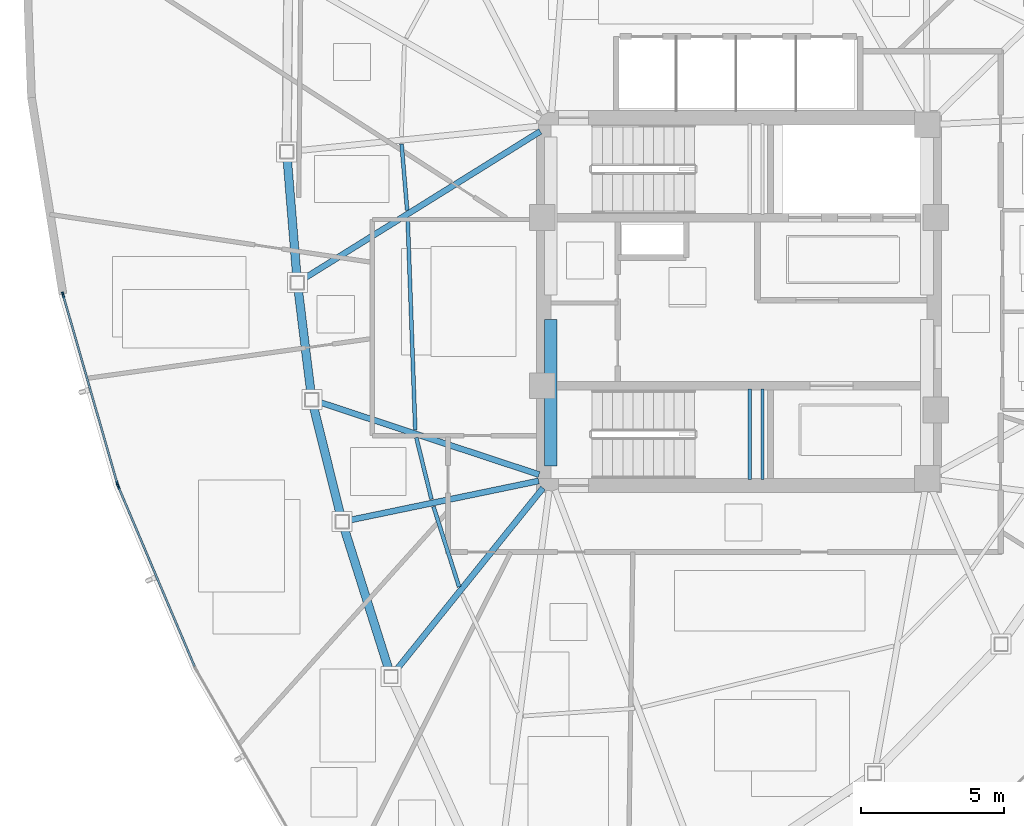
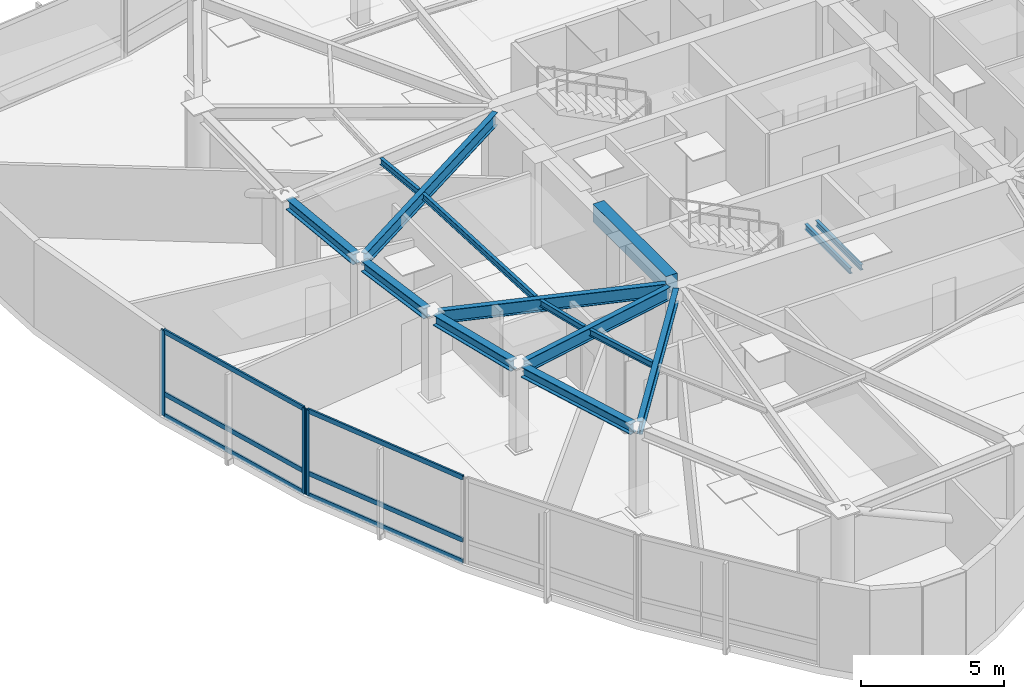
# One storey, part 3 of 14: 15 beams, 9 members, 2 elements without a shape of their own.
"""IFC4 building model written with IfcOpenShell, lengths in metres."""

from ifc_helpers import new_model, si_unit, direction, frame, origin, origin_2d, place, context, subcontext, project, spatial, rectangle, hollow_rectangle, i_section, extrude, source, transform, mapped, material, layer, layer_set, material_profile, profile_set, type_object, type_shapes, element, aggregate, save


model = new_model("IFC4")

# Units and contexts
model_context = context("Model", 3, precision=1e-05, world=origin(), true_north=direction((0.0, 1.0)))
body_context = subcontext(model_context, "Body", "Model", "MODEL_VIEW")
ifc_project = project(units=[si_unit("LENGTHUNIT", "METRE"), si_unit("AREAUNIT", "SQUARE_METRE"), si_unit("VOLUMEUNIT", "CUBIC_METRE"), si_unit("PLANEANGLEUNIT", "RADIAN"), si_unit("MASSUNIT", "GRAM", prefix="KILO")], contexts=[model_context])

# Site, building, storey
site_placement = place(None, origin())
site = spatial("IfcSite", under=ifc_project, at=site_placement, CompositionType="ELEMENT")
building_placement = place(site_placement, origin())
building = spatial("IfcBuilding", under=site, at=building_placement, Name="Tavelor Broadcast Tower", CompositionType="ELEMENT")
storey_placement = place(building_placement, frame((0.0, 0.0, 249.800048828125)))
storey = spatial("IfcBuildingStorey", under=building, at=storey_placement, Name="L59", CompositionType="ELEMENT", Elevation=249.800048828125)

# Beams
ifc_material_1 = material(Name="Concrete C40/50", Category="concrete")
ifc_material_profile_1 = material_profile(ifc_material_1, rectangle(XDim=0.449951171875, YDim=0.75, at=origin_2d()), Name="RC 450x750")
ifc_profile_set_1 = profile_set([ifc_material_profile_1], Name="Concrete C40/50")
beam_type_1 = type_object("IfcBeamType", Name="Basement Core Trim Beam 450x750", PredefinedType="BEAM", material=ifc_profile_set_1)
beam_1_placement = place(storey_placement, frame((43.39990234375, 39.23193359375, 3.27490234375), z_axis=(0.0, 1.0, 0.0), x_axis=(-1.0, 0.0, 0.0)))
element("IfcBeam", 1, at=beam_1_placement, inside=storey, type_object=beam_type_1, Name="L59 Core West-S Tie Girder", PredefinedType="BEAM", context=body_context, shape_type="SweptSolid", body=[
    extrude(rectangle(XDim=0.449951171875, YDim=0.75, at=origin_2d()), origin(), (0.0, 0.0, 1.0), 5.135986328125),
])
ifc_material_2 = material(Name="Steel S355", Category="steel")
ifc_material_profile_2 = material_profile(ifc_material_2, i_section(OverallWidth=0.135009765625, OverallDepth=0.27001953125, WebThickness=0.006591796875, FlangeThickness=0.01025390625, at=origin_2d()), Name="IPE 270")
ifc_profile_set_2 = profile_set([ifc_material_profile_2], Name="Steel S355")
beam_type_2 = type_object("IfcBeamType", Name="Composite Floor Joist T6 IPE 270", PredefinedType="JOIST", material=ifc_profile_set_2)
beam_2_placement = place(storey_placement, frame((38.168701171875, 50.531982421875, 3.514892578125), z_axis=(0.084031501076, -0.996463098578, 0.0), x_axis=(0.996463098578, 0.084031501076, 0.0)))
element("IfcBeam", 2, at=beam_2_placement, inside=storey, type_object=beam_type_2, Name="L59 Secondary Composite Floor Joist 02", PredefinedType="JOIST", context=body_context, shape_type="SweptSolid", body=[
    extrude(i_section(OverallWidth=0.135009765625, OverallDepth=0.27001953125, WebThickness=0.006591796875, FlangeThickness=0.01025390625, at=origin_2d()), origin(), (0.0, 0.0, 1.0), 2.3359375),
])
beam_3_placement = place(storey_placement, frame((38.381103515625, 47.9365234375, 3.514892578125), z_axis=(0.035987571959, -0.999352237534, 0.0), x_axis=(0.999352237534, 0.035987571959, 0.0)))
element("IfcBeam", 3, at=beam_3_placement, inside=storey, type_object=beam_type_2, Name="L59 Secondary Composite Floor Joist 03", PredefinedType="JOIST", context=body_context, shape_type="SweptSolid", body=[
    extrude(i_section(OverallWidth=0.135009765625, OverallDepth=0.27001953125, WebThickness=0.006591796875, FlangeThickness=0.01025390625, at=origin_2d()), origin(), (0.0, 0.0, 1.0), 7.442138671875),
])
beam_4_placement = place(storey_placement, frame((38.685546875, 40.23486328125, 3.514892578125), z_axis=(0.238024718386, -0.971259096965, 0.0), x_axis=(0.971259096965, 0.238024718386, 0.0)))
element("IfcBeam", 4, at=beam_4_placement, inside=storey, type_object=beam_type_2, Name="L59 Secondary Composite Floor Joist 04", PredefinedType="JOIST", context=body_context, shape_type="SweptSolid", body=[
    extrude(i_section(OverallWidth=0.135009765625, OverallDepth=0.27001953125, WebThickness=0.006591796875, FlangeThickness=0.01025390625, at=origin_2d()), origin(), (0.0, 0.0, 1.0), 2.22998046875),
])
beam_5_placement = place(storey_placement, frame((39.2890625, 37.810791015625, 3.514892578125), z_axis=(0.303612721519, -0.952795526507, 0.0), x_axis=(0.952795526507, 0.303612721519, 0.0)))
element("IfcBeam", 5, at=beam_5_placement, inside=storey, type_object=beam_type_2, Name="L59 Secondary Composite Floor Joist 05", PredefinedType="JOIST", context=body_context, shape_type="SweptSolid", body=[
    extrude(i_section(OverallWidth=0.135009765625, OverallDepth=0.27001953125, WebThickness=0.006591796875, FlangeThickness=0.01025390625, at=origin_2d()), origin(), (0.0, 0.0, 1.0), 2.9560546875),
])
ifc_material_profile_3 = material_profile(ifc_material_2, i_section(OverallWidth=0.300048828125, OverallDepth=0.449951171875, WebThickness=0.013916015625, FlangeThickness=0.02587890625, at=origin_2d()), Name="HEB 450")
ifc_profile_set_3 = profile_set([ifc_material_profile_3], Name="Steel S355")
beam_type_3 = type_object("IfcBeamType", Name="Perimeter Spandrel Beam T6 HEB 450", PredefinedType="SPANDREL", material=ifc_profile_set_3)
beam_6_placement = place(storey_placement, frame((34.15673828125, 50.0166015625, 3.425048828125), z_axis=(0.081762604382, -0.996651833152, 0.0), x_axis=(0.996651833152, 0.081762604382, 0.0)))
element("IfcBeam", 6, at=beam_6_placement, inside=storey, type_object=beam_type_3, Name="L59 Framed-Tube Ring Spandrel 02", PredefinedType="SPANDREL", context=body_context, shape_type="SweptSolid", body=[
    extrude(i_section(OverallWidth=0.300048828125, OverallDepth=0.449951171875, WebThickness=0.013916015625, FlangeThickness=0.02587890625, at=origin_2d()), origin(), (0.0, 0.0, 1.0), 4.126708984375),
])
beam_7_placement = place(storey_placement, frame((34.54296875, 45.42626953125, 3.425048828125), z_axis=(0.122281853392, -0.992495414766, 0.0), x_axis=(0.992495414766, 0.122281853392, 0.0)))
element("IfcBeam", 7, at=beam_7_placement, inside=storey, type_object=beam_type_3, Name="L59 Framed-Tube Ring Spandrel 03", PredefinedType="SPANDREL", context=body_context, shape_type="SweptSolid", body=[
    extrude(i_section(OverallWidth=0.300048828125, OverallDepth=0.449951171875, WebThickness=0.013916015625, FlangeThickness=0.02587890625, at=origin_2d()), origin(), (0.0, 0.0, 1.0), 3.651611328125),
])
beam_8_placement = place(storey_placement, frame((35.076904296875, 41.3310546875, 3.425048828125), z_axis=(0.241279026366, -0.97045578541, 0.0), x_axis=(0.97045578541, 0.241279026366, 0.0)))
element("IfcBeam", 8, at=beam_8_placement, inside=storey, type_object=beam_type_3, Name="L59 Framed-Tube Ring Spandrel 04", PredefinedType="SPANDREL", context=body_context, shape_type="SweptSolid", body=[
    extrude(i_section(OverallWidth=0.300048828125, OverallDepth=0.449951171875, WebThickness=0.013916015625, FlangeThickness=0.02587890625, at=origin_2d()), origin(), (0.0, 0.0, 1.0), 3.93212890625),
])
beam_9_placement = place(storey_placement, frame((36.15576171875, 37.053466796875, 3.425048828125), z_axis=(0.300999122242, -0.953624416849, 0.0), x_axis=(0.953624416849, 0.300999122242, 0.0)))
element("IfcBeam", 9, at=beam_9_placement, inside=storey, type_object=beam_type_3, Name="L59 Framed-Tube Ring Spandrel 05", PredefinedType="SPANDREL", context=body_context, shape_type="SweptSolid", body=[
    extrude(i_section(OverallWidth=0.300048828125, OverallDepth=0.449951171875, WebThickness=0.013916015625, FlangeThickness=0.02587890625, at=origin_2d()), origin(), (0.0, 0.0, 1.0), 5.212890625),
])
ifc_material_profile_4 = material_profile(ifc_material_2, i_section(OverallWidth=0.2099609375, OverallDepth=0.550048828125, WebThickness=0.010986328125, FlangeThickness=0.01708984375, at=origin_2d()), Name="IPE 550")
ifc_profile_set_4 = profile_set([ifc_material_profile_4], Name="Steel S355")
beam_type_4 = type_object("IfcBeamType", Name="Radial Floor Girder T6 IPE 550", PredefinedType="BEAM", material=ifc_profile_set_4)
beam_10_placement = place(storey_placement, frame((43.033203125, 50.9716796875, 3.375), z_axis=(-0.848789723342, -0.528730560445, 0.0), x_axis=(0.528730560445, -0.848789723342, 0.0)))
element("IfcBeam", 10, at=beam_10_placement, inside=storey, type_object=beam_type_4, Name="L59 Radial Primary Floor Girder 03", PredefinedType="BEAM", context=body_context, shape_type="SweptSolid", body=[
    extrude(i_section(OverallWidth=0.2099609375, OverallDepth=0.550048828125, WebThickness=0.010986328125, FlangeThickness=0.01708984375, at=origin_2d()), origin(), (0.0, 0.0, 1.0), 9.79736328125),
])
beam_11_placement = place(storey_placement, frame((42.98974609375, 38.935302734375, 3.375), z_axis=(-0.949690563793, 0.313189771613, 0.0), x_axis=(-0.313189771613, -0.949690563793, 0.0)))
element("IfcBeam", 11, at=beam_11_placement, inside=storey, type_object=beam_type_4, Name="L59 Radial Primary Floor Girder 04", PredefinedType="BEAM", context=body_context, shape_type="SweptSolid", body=[
    extrude(i_section(OverallWidth=0.2099609375, OverallDepth=0.550048828125, WebThickness=0.010986328125, FlangeThickness=0.01708984375, at=origin_2d()), origin(), (0.0, 0.0, 1.0), 8.153076171875),
])
beam_12_placement = place(storey_placement, frame((42.97705078125, 38.71240234375, 3.375), z_axis=(-0.979151221162, -0.203132681016, 0.0), x_axis=(0.203132681016, -0.979151221162, 0.0)))
element("IfcBeam", 12, at=beam_12_placement, inside=storey, type_object=beam_type_4, Name="L59 Radial Primary Floor Girder 05", PredefinedType="BEAM", context=body_context, shape_type="SweptSolid", body=[
    extrude(i_section(OverallWidth=0.2099609375, OverallDepth=0.550048828125, WebThickness=0.010986328125, FlangeThickness=0.01708984375, at=origin_2d()), origin(), (0.0, 0.0, 1.0), 6.80029296875),
])
beam_13_placement = place(storey_placement, frame((43.12890625, 38.463623046875, 3.375), z_axis=(-0.627814320215, -0.778363141042, 0.0), x_axis=(0.778363141042, -0.627814320215, 0.0)))
element("IfcBeam", 13, at=beam_13_placement, inside=storey, type_object=beam_type_4, Name="L59 Radial Primary Floor Girder 06", PredefinedType="BEAM", context=body_context, shape_type="SweptSolid", body=[
    extrude(i_section(OverallWidth=0.2099609375, OverallDepth=0.550048828125, WebThickness=0.010986328125, FlangeThickness=0.01708984375, at=origin_2d()), origin(), (0.0, 0.0, 1.0), 8.252685546875),
])
ifc_material_profile_5 = material_profile(ifc_material_2, i_section(OverallWidth=0.1201171875, OverallDepth=0.239990234375, WebThickness=0.006103515625, FlangeThickness=0.009765625, at=origin_2d()), Name="IPE 240")
ifc_profile_set_5 = profile_set([ifc_material_profile_5], Name="Steel S355")
beam_type_5 = type_object("IfcBeamType", Name="Stairwell Landing Support Trimmer Beam IPE240", PredefinedType="BEAM", material=ifc_profile_set_5)
for number, where, z_axis, x_axis, name in (
    (14, (50.385009765625, 38.760009765625, 1.659912109375), (0.0, 1.0, 0.0), (-1.0, 0.0, 0.0), "L59 Stair Landing Support Beam 373"),
    (15, (50.824951171875, 38.760009765625, 1.659912109375), (0.0, 1.0, 0.0), (-1.0, 0.0, 0.0), "L59 Stair Landing Support Beam 374"),
):
    element("IfcBeam", number, at=place(storey_placement, frame(where, z_axis=z_axis, x_axis=x_axis)), inside=storey, type_object=beam_type_5, Name=name, PredefinedType="BEAM", context=body_context, shape_type="SweptSolid", body=[
        extrude(i_section(OverallWidth=0.1201171875, OverallDepth=0.239990234375, WebThickness=0.006103515625, FlangeThickness=0.009765625, at=origin_2d()), origin(), (0.0, 0.0, 1.0), 3.179931640625),
    ])

# Curtain wall, members
ifc_material_3 = material(Name="Architectural Anodized Aluminium", Category="aluminium")
ifc_layer = layer(ifc_material_3, 0.199951171875)
ifc_layer_set = layer_set([ifc_layer], Name="Architectural Anodized Aluminium")
curtain_wall_type = type_object("IfcCurtainWallType", Name="Tower High-Zone Triple-Glazed Curtain Wall CW04", PredefinedType="NOTDEFINED", material=ifc_layer_set)
curtain_wall_1_placement = place(storey_placement, origin())
curtain_wall_1 = element("IfcCurtainWall", 16, at=curtain_wall_1_placement, inside=storey, type_object=curtain_wall_type, Name="L59 Curtain Wall CW04 Run 637", PredefinedType="NOTDEFINED")
ifc_material_profile_6 = material_profile(ifc_material_3, hollow_rectangle(XDim=0.070068359375, YDim=0.199951171875, WallThickness=0.02197265625, at=origin_2d()), Name="RHS 70x200x22")
ifc_profile_set_6 = profile_set([ifc_material_profile_6], Name="Architectural Anodized Aluminium")
member_type_1 = type_object("IfcMemberType", Name="CW04 Extruded Aluminium Mullion 70x200", PredefinedType="MULLION", material=ifc_profile_set_6)
shared_shape_1 = source(origin(), body_context, "Body", "SweptSolid", [
    extrude(hollow_rectangle(XDim=0.070068359375, YDim=0.199951171875, WallThickness=0.02197265625, at=origin_2d()), origin(), (0.0, 0.0, 1.0), 3.64990234375),
])
type_shapes(member_type_1, [shared_shape_1])
member_1_placement = place(storey_placement, frame((26.296630859375, 45.238525390625, 0.0), z_axis=(0.0, 0.0, 1.0), x_axis=(0.961140152962, 0.276060874381, 0.0)))
member_1 = element("IfcMember", 17, at=member_1_placement, type_object=member_type_1, Name="CW04 mullion 1", PredefinedType="MULLION", context=body_context, shape_type="MappedRepresentation", body=[
    mapped(shared_shape_1, transform((0.0, 0.0, 0.0), scale=1.0)),
])
member_2_placement = place(storey_placement, frame((28.200927734375, 38.608154296875, 0.0), z_axis=(0.0, 0.0, 1.0), x_axis=(0.961140152962, 0.276060874381, 0.0)))
member_2 = element("IfcMember", 18, at=member_2_placement, type_object=member_type_1, Name="CW04 mullion 2", PredefinedType="MULLION", context=body_context, shape_type="MappedRepresentation", body=[
    mapped(shared_shape_1, transform((0.0, 0.0, 0.0), scale=1.0)),
])

# Curtain wall, member
curtain_wall_2_placement = place(storey_placement, origin())
curtain_wall_2 = element("IfcCurtainWall", 19, at=curtain_wall_2_placement, inside=storey, type_object=curtain_wall_type, Name="L59 Curtain Wall CW04 Run 638", PredefinedType="NOTDEFINED")
member_3_placement = place(storey_placement, frame((28.234375, 38.51416015625, 0.0), z_axis=(0.0, 0.0, 1.0), x_axis=(0.920676396065, 0.390326752514, 0.0)))
member_3 = element("IfcMember", 20, at=member_3_placement, type_object=member_type_1, Name="CW04 mullion 1", PredefinedType="MULLION", context=body_context, shape_type="MappedRepresentation", body=[
    mapped(shared_shape_1, transform((0.0, 0.0, 0.0), scale=1.0)),
])

# Member
ifc_material_profile_7 = material_profile(ifc_material_3, hollow_rectangle(XDim=0.070068359375, YDim=0.199951171875, WallThickness=0.02197265625, at=origin_2d()), Name="RHS 70x200x22")
ifc_profile_set_7 = profile_set([ifc_material_profile_7], Name="Architectural Anodized Aluminium")
member_type_2 = type_object("IfcMemberType", Name="CW04 Extruded Aluminium Transom 70x200", PredefinedType="USERDEFINED", material=ifc_profile_set_7)
shared_shape_2 = source(origin(), body_context, "Body", "SweptSolid", [
    extrude(hollow_rectangle(XDim=0.070068359375, YDim=0.199951171875, WallThickness=0.02197265625, at=origin_2d()), origin(), (0.0, 0.0, 1.0), 6.828369140625),
])
member_4_placement = place(storey_placement, frame((26.30615234375, 45.204833984375, 0.034912109375), z_axis=(0.276057255637, -0.961141192339, 0.0), x_axis=(0.961141192339, 0.276057255637, 0.0)))
member_4 = element("IfcMember", 21, at=member_4_placement, type_object=member_type_2, Name="CW04 transom 1.1", ObjectType="TRANSOM", PredefinedType="USERDEFINED", context=body_context, shape_type="MappedRepresentation", body=[
    mapped(shared_shape_2, transform((0.0, 0.0, 0.0), scale=1.0)),
])

member_5_placement = place(storey_placement, frame((26.30615234375, 45.204833984375, 0.949951171875), z_axis=(0.276057255637, -0.961141192339, 0.0), x_axis=(0.961141192339, 0.276057255637, 0.0)))
member_5 = element("IfcMember", 22, at=member_5_placement, type_object=member_type_2, Name="CW04 transom 1.2", ObjectType="TRANSOM", PredefinedType="USERDEFINED", context=body_context, shape_type="MappedRepresentation", body=[
    mapped(shared_shape_2, transform((0.0, 0.0, 0.0), scale=1.0)),
])

member_6_placement = place(storey_placement, frame((26.30615234375, 45.204833984375, 3.614990234375), z_axis=(0.276057255637, -0.961141192339, 0.0), x_axis=(0.961141192339, 0.276057255637, 0.0)))
member_6 = element("IfcMember", 23, at=member_6_placement, type_object=member_type_2, Name="CW04 transom 1.3", ObjectType="TRANSOM", PredefinedType="USERDEFINED", context=body_context, shape_type="MappedRepresentation", body=[
    mapped(shared_shape_2, transform((0.0, 0.0, 0.0), scale=1.0)),
])

aggregate(curtain_wall_1, [member_1, member_2, member_4, member_5, member_6])

shared_shape_3 = source(origin(), body_context, "Body", "SweptSolid", [
    extrude(hollow_rectangle(XDim=0.070068359375, YDim=0.199951171875, WallThickness=0.02197265625, at=origin_2d()), origin(), (0.0, 0.0, 1.0), 6.813232421875),
])
type_shapes(member_type_2, [shared_shape_2, shared_shape_3])
member_7_placement = place(storey_placement, frame((28.247802734375, 38.48193359375, 0.034912109375), z_axis=(0.390335420262, -0.920672721269, 0.0), x_axis=(0.920672721269, 0.390335420262, 0.0)))
member_7 = element("IfcMember", 24, at=member_7_placement, type_object=member_type_2, Name="CW04 transom 1.1", ObjectType="TRANSOM", PredefinedType="USERDEFINED", context=body_context, shape_type="MappedRepresentation", body=[
    mapped(shared_shape_3, transform((0.0, 0.0, 0.0), scale=1.0)),
])

member_8_placement = place(storey_placement, frame((28.247802734375, 38.48193359375, 0.949951171875), z_axis=(0.390335420262, -0.920672721269, 0.0), x_axis=(0.920672721269, 0.390335420262, 0.0)))
member_8 = element("IfcMember", 25, at=member_8_placement, type_object=member_type_2, Name="CW04 transom 1.2", ObjectType="TRANSOM", PredefinedType="USERDEFINED", context=body_context, shape_type="MappedRepresentation", body=[
    mapped(shared_shape_3, transform((0.0, 0.0, 0.0), scale=1.0)),
])

member_9_placement = place(storey_placement, frame((28.247802734375, 38.48193359375, 3.614990234375), z_axis=(0.390335420262, -0.920672721269, 0.0), x_axis=(0.920672721269, 0.390335420262, 0.0)))
member_9 = element("IfcMember", 26, at=member_9_placement, type_object=member_type_2, Name="CW04 transom 1.3", ObjectType="TRANSOM", PredefinedType="USERDEFINED", context=body_context, shape_type="MappedRepresentation", body=[
    mapped(shared_shape_3, transform((0.0, 0.0, 0.0), scale=1.0)),
])

aggregate(curtain_wall_2, [member_3, member_7, member_8, member_9])

save(model, "model.ifc")
